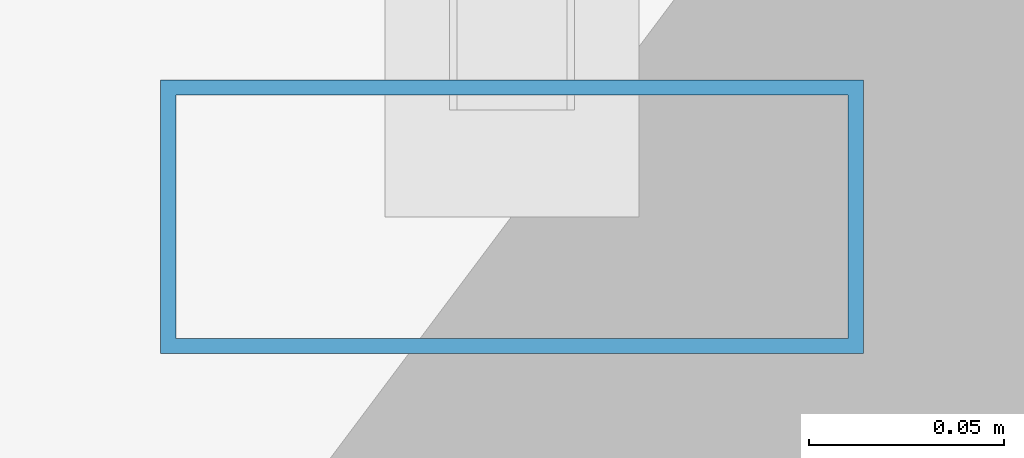
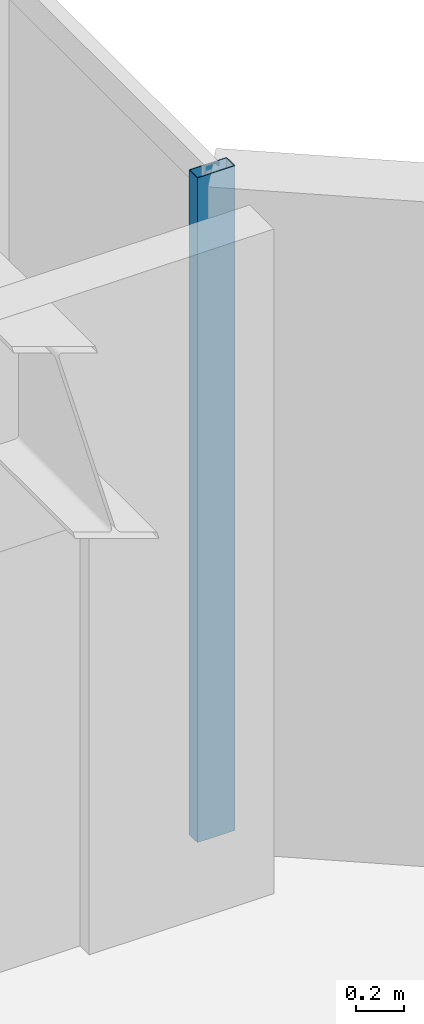
# One storey, part 15 of 27: 1 member, 1 element without a shape of its own.
"""IFC4 building model written with IfcOpenShell, lengths in metres."""

from ifc_helpers import new_model, si_unit, direction, frame, origin, origin_2d, place, context, subcontext, project, spatial, hollow_rectangle, extrude, material, layer, layer_set, material_profile, profile_set, type_object, element, aggregate, save


model = new_model("IFC4")

# Units and contexts
model_context = context("Model", 3, precision=1e-05, world=origin(), true_north=direction((0.0, 1.0)))
body_context = subcontext(model_context, "Body", "Model", "MODEL_VIEW")
ifc_project = project(units=[si_unit("LENGTHUNIT", "METRE"), si_unit("AREAUNIT", "SQUARE_METRE"), si_unit("VOLUMEUNIT", "CUBIC_METRE"), si_unit("PLANEANGLEUNIT", "RADIAN"), si_unit("MASSUNIT", "GRAM", prefix="KILO")], contexts=[model_context])

# Site, building, storey
site_placement = place(None, origin())
site = spatial("IfcSite", under=ifc_project, at=site_placement, CompositionType="ELEMENT")
building_placement = place(site_placement, origin())
building = spatial("IfcBuilding", under=site, at=building_placement, Name="Hatsunagi Terrace Concourse", CompositionType="ELEMENT")
storey_placement = place(building_placement, frame((0.0, 0.0, 156.449951171875)))
storey = spatial("IfcBuildingStorey", under=building, at=storey_placement, Name="L41", CompositionType="ELEMENT", Elevation=156.449951171875)

# Curtain wall, member
ifc_material_1 = material(Name="Anodised Aluminium Alloy 6063-T5", Category="aluminium")
ifc_layer = layer(ifc_material_1, 0.199951171875)
ifc_layer_set = layer_set([ifc_layer], Name="OfficeZone1_CW03")
curtain_wall_type = type_object("IfcCurtainWallType", Name="OfficeZone1_CW03", PredefinedType="NOTDEFINED", material=ifc_layer_set)
curtain_wall_placement = place(storey_placement, origin())
curtain_wall = element("IfcCurtainWall", 1, at=curtain_wall_placement, inside=storey, type_object=curtain_wall_type, Name="Unitised Curtain Wall CW-03 CW-L41-13", PredefinedType="NOTDEFINED")
ifc_material_2 = material(Name="Anodised Aluminium Alloy 6063-T5", Category="aluminium")
ifc_material_profile = material_profile(ifc_material_2, hollow_rectangle(XDim=0.070068359375, YDim=0.179931640625, WallThickness=0.00390625, at=origin_2d()), Name="ALU-MUL-180x70x4")
ifc_profile_set = profile_set([ifc_material_profile], Name="Anodised Aluminium Alloy 6063-T5")
member_type = type_object("IfcMemberType", Name="CurtainWallMullion_180x70", PredefinedType="MULLION", material=ifc_profile_set)
member_placement = place(storey_placement, frame((44.860107421875, 40.72998046875, 0.0), z_axis=(0.0, 0.0, 1.0), x_axis=(0.0, -1.0, 0.0)))
member = element("IfcMember", 2, at=member_placement, type_object=member_type, Name="Curtain Wall Mullion MUL-02", PredefinedType="MULLION", context=body_context, shape_type="SweptSolid", body=[
    extrude(hollow_rectangle(XDim=0.070068359375, YDim=0.179931640625, WallThickness=0.00390625, at=origin_2d()), origin(), (0.0, 0.0, 1.0), 3.35009765625),
])
aggregate(curtain_wall, [member])

save(model, "model.ifc")
